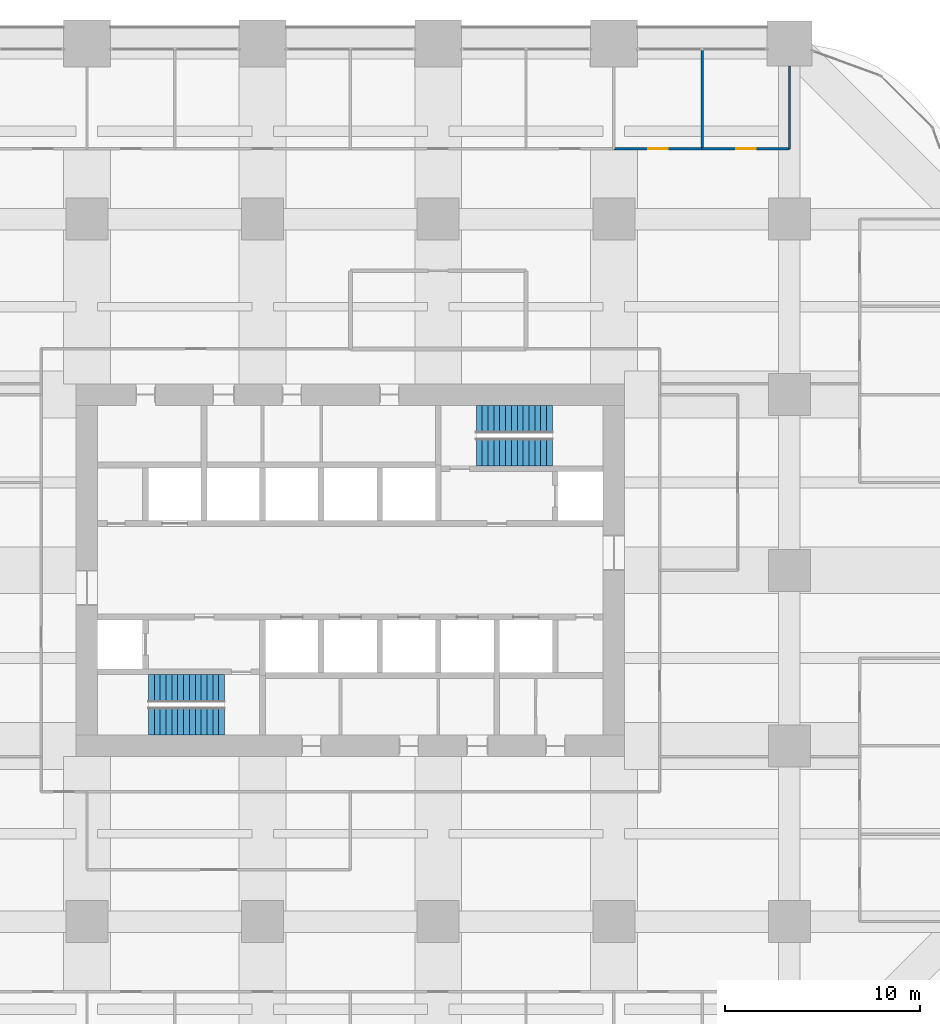
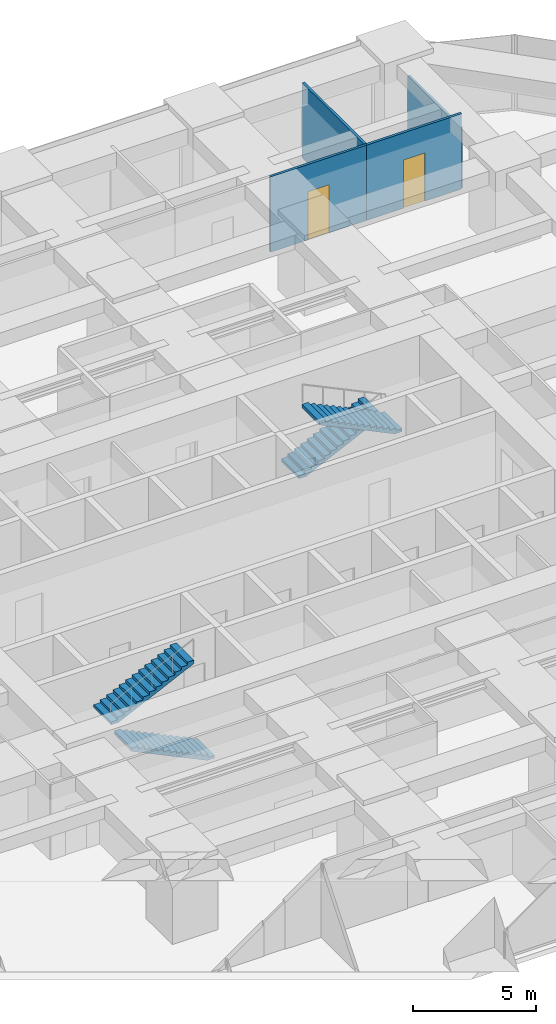
# One storey, part 43 of 45: 4 stair flights, 4 walls, 2 doors, 2 openings, 2 elements without a shape of their own.
"""IFC4 building model written with IfcOpenShell, lengths in metres."""

from ifc_helpers import new_model, si_unit, direction, frame, frame_2d, origin, place, context, subcontext, project, spatial, polyline, rectangle, outline, extrude, material, layer, layer_set, type_object, element, fill, aggregate, save


model = new_model("IFC4")

# Units and contexts
model_context = context("Model", 3, precision=1e-05, world=origin(), true_north=direction((0.0, 1.0)))
body_context = subcontext(model_context, "Body", "Model", "MODEL_VIEW")
ifc_project = project(units=[si_unit("LENGTHUNIT", "METRE"), si_unit("AREAUNIT", "SQUARE_METRE"), si_unit("VOLUMEUNIT", "CUBIC_METRE"), si_unit("PLANEANGLEUNIT", "RADIAN"), si_unit("MASSUNIT", "GRAM", prefix="KILO")], contexts=[model_context])

# Site, building, storey
site_placement = place(None, origin())
site = spatial("IfcSite", under=ifc_project, at=site_placement, CompositionType="ELEMENT")
building_placement = place(site_placement, origin())
building = spatial("IfcBuilding", under=site, at=building_placement, Name="Zorevar Civic Tower", CompositionType="ELEMENT")
storey_placement = place(building_placement, frame((0.0, 0.0, 71.800048828125)))
storey = spatial("IfcBuildingStorey", under=building, at=storey_placement, Name="L17", CompositionType="ELEMENT", Elevation=71.800048828125)

# Wall, opening, door
ifc_material_1 = material(Name="Gypsum board on steel studs", Category="steel")
ifc_layer = layer(ifc_material_1, 0.1201171875)
ifc_layer_set = layer_set([ifc_layer], Name="Partition 120")
wall_type = type_object("IfcWallType", Name="Partition 120", PredefinedType="PARTITIONING", material=ifc_layer_set)
wall_1_placement = place(storey_placement, frame((45.0, 48.60009765625, 0.0), z_axis=(0.0, 0.0, 1.0), x_axis=(1.0, 0.0, 0.0)))
wall_1 = element("IfcWall", 1, at=wall_1_placement, inside=storey, type_object=wall_type, Name="Partition 120 L17", PredefinedType="PARTITIONING", context=body_context, shape_type="SweptSolid", body=[
    extrude(rectangle(XDim=4.52490234375, YDim=0.1201171875, at=frame_2d((2.262451171875, 0.0))), origin(), (0.0, 0.0, 1.0), 3.75),
])
opening_1_placement = place(wall_1_placement, frame((1.762939453125, 0.0, 0.0)))
opening_1 = element("IfcOpeningElement", 2, at=opening_1_placement, cuts=wall_1, Name="Opening L17.35", PredefinedType="OPENING", context=body_context, shape_type="SweptSolid", body=[
    extrude(rectangle(XDim=1.0, YDim=2.39990234375, at=frame_2d((0.5, 1.199951171875))), frame((0.0, 0.070068359375, 0.0), z_axis=(0.0, -1.0, 0.0), x_axis=(1.0, 0.0, 0.0)), (0.0, 0.0, 1.0), 0.14013671875),
])
ifc_material_2 = material(Name="Timber door set", Category="wood")
door_type = type_object("IfcDoorType", Name="Door D1 1000x2400", OperationType="SINGLE_SWING_LEFT", PredefinedType="DOOR", material=ifc_material_2)
door_1_placement = place(opening_1_placement, origin())
door_1 = element("IfcDoor", 3, at=door_1_placement, inside=storey, type_object=door_type, Name="Door L17 D1", OperationType="SINGLE_SWING_RIGHT", OverallHeight=2.39990234375, OverallWidth=1.0, PredefinedType="DOOR", context=body_context, shape_type="SweptSolid", body=[
    extrude(rectangle(XDim=1.0, YDim=2.39990234375, at=frame_2d((0.5, 1.199951171875))), frame((0.0, 0.02490234375, 0.0), z_axis=(0.0, -1.0, 0.0), x_axis=(1.0, 0.0, 0.0)), (0.0, 0.0, 1.0), 0.050048828125),
])
fill(opening_1, door_1)

wall_2_placement = place(storey_placement, frame((49.52490234375, 48.60009765625, 0.0), z_axis=(0.0, 0.0, 1.0), x_axis=(1.0, 0.0, 0.0)))
wall_2 = element("IfcWall", 4, at=wall_2_placement, inside=storey, type_object=wall_type, Name="Partition 120 L17", PredefinedType="PARTITIONING", context=body_context, shape_type="SweptSolid", body=[
    extrude(rectangle(XDim=4.47509765625, YDim=0.1201171875, at=frame_2d((2.237548828125, 0.0))), origin(), (0.0, 0.0, 1.0), 3.75),
])
opening_2_placement = place(wall_2_placement, frame((1.738037109375, 0.0, 0.0)))
opening_2 = element("IfcOpeningElement", 5, at=opening_2_placement, cuts=wall_2, Name="Opening L17.36", PredefinedType="OPENING", context=body_context, shape_type="SweptSolid", body=[
    extrude(rectangle(XDim=1.0, YDim=2.39990234375, at=frame_2d((0.5, 1.199951171875))), frame((0.0, 0.070068359375, 0.0), z_axis=(0.0, -1.0, 0.0), x_axis=(1.0, 0.0, 0.0)), (0.0, 0.0, 1.0), 0.14013671875),
])
door_2_placement = place(opening_2_placement, origin())
door_2 = element("IfcDoor", 6, at=door_2_placement, inside=storey, type_object=door_type, Name="Door L17 D1", OperationType="SINGLE_SWING_RIGHT", OverallHeight=2.39990234375, OverallWidth=1.0, PredefinedType="DOOR", context=body_context, shape_type="SweptSolid", body=[
    extrude(rectangle(XDim=1.0, YDim=2.39990234375, at=frame_2d((0.5, 1.199951171875))), frame((0.0, 0.02490234375, 0.0), z_axis=(0.0, -1.0, 0.0), x_axis=(1.0, 0.0, 0.0)), (0.0, 0.0, 1.0), 0.050048828125),
])
fill(opening_2, door_2)

# Walls
wall_3_placement = place(storey_placement, frame((49.52490234375, 48.60009765625, 0.0), z_axis=(0.0, 0.0, 1.0), x_axis=(0.0, 1.0, 0.0)))
element("IfcWall", 7, at=wall_3_placement, inside=storey, type_object=wall_type, Name="Partition 120 L17", PredefinedType="PARTITIONING", context=body_context, shape_type="SweptSolid", body=[
    extrude(rectangle(XDim=5.08984375, YDim=0.1201171875, at=frame_2d((2.544921875, 0.0))), origin(), (0.0, 0.0, 1.0), 3.75),
])
wall_4_placement = place(storey_placement, frame((54.0, 48.60009765625, 0.0), z_axis=(0.0, 0.0, 1.0), x_axis=(0.0, 1.0, 0.0)))
element("IfcWall", 8, at=wall_4_placement, inside=storey, type_object=wall_type, Name="Partition 120 L17", PredefinedType="PARTITIONING", context=body_context, shape_type="SweptSolid", body=[
    extrude(rectangle(XDim=4.25, YDim=0.1201171875, at=frame_2d((2.125, 0.0))), origin(), (0.0, 0.0, 1.0), 3.050048828125),
])

# Stair, stair flights
ifc_material_3 = material(Name="Precast concrete C40/50", Category="concrete")
stair_type = type_object("IfcStairType", Name="Stair ST 28R", PredefinedType="HALF_TURN_STAIR", material=ifc_material_3)
stair_1_placement = place(storey_placement, origin())
stair_1 = element("IfcStair", 9, at=stair_1_placement, inside=storey, type_object=stair_type, Name="Stair ST1 L17", PredefinedType="HALF_TURN_STAIR")
ifc_material_4 = material(Name="Precast concrete C40/50", Category="concrete")
stair_flight_type = type_object("IfcStairFlightType", Name="Stair flight", PredefinedType="STRAIGHT", material=ifc_material_4)
stair_flight_1_placement = place(storey_placement, frame((25.050048828125, 19.262451171875, 0.0), z_axis=(0.0, 0.0, 1.0), x_axis=(-1.0, 0.0, 0.0)))
stair_flight_1 = element("IfcStairFlight", 10, at=stair_flight_1_placement, type_object=stair_flight_type, Name="ST1 flight 1", NumberOfRisers=14, NumberOfTreads=13, PredefinedType="STRAIGHT", RiserHeight=0.142857143, TreadLength=0.3, context=body_context, shape_type="SweptSolid", body=[
    extrude(outline(polyline([(0.0, 0.0), (0.0, 0.142822265625), (0.300048828125, 0.142822265625), (0.300048828125, 0.28564453125), (0.60009765625, 0.28564453125), (0.60009765625, 0.428466796875), (0.89990234375, 0.428466796875), (0.89990234375, 0.571533203125), (1.199951171875, 0.571533203125), (1.199951171875, 0.71435546875), (1.5, 0.71435546875), (1.5, 0.857177734375), (1.800048828125, 0.857177734375), (1.800048828125, 1.0), (2.10009765625, 1.0), (2.10009765625, 1.142822265625), (2.39990234375, 1.142822265625), (2.39990234375, 1.28564453125), (2.699951171875, 1.28564453125), (2.699951171875, 1.428466796875), (3.0, 1.428466796875), (3.0, 1.571533203125), (3.300048828125, 1.571533203125), (3.300048828125, 1.71435546875), (3.60009765625, 1.71435546875), (3.60009765625, 1.857177734375), (3.89990234375, 1.857177734375), (3.89990234375, 2.0), (3.89990234375, 1.691162109375), (0.3486328125, 0.0), (0.0, 0.0)])), frame((0.0, 0.71240234375, 0.0), z_axis=(0.0, -1.0, 0.0), x_axis=(1.0, 0.0, 0.0)), (0.0, 0.0, 1.0), 1.425048828125),
])
stair_flight_2_placement = place(storey_placement, frame((21.14990234375, 20.9375, 2.0), z_axis=(0.0, 0.0, 1.0), x_axis=(1.0, 0.0, 0.0)))
stair_flight_2 = element("IfcStairFlight", 11, at=stair_flight_2_placement, type_object=stair_flight_type, Name="ST1 flight 2", NumberOfRisers=14, NumberOfTreads=13, PredefinedType="STRAIGHT", RiserHeight=0.142857143, TreadLength=0.3, context=body_context, shape_type="SweptSolid", body=[
    extrude(outline(polyline([(0.0, 0.0), (0.0, 0.142822265625), (0.300048828125, 0.142822265625), (0.300048828125, 0.28564453125), (0.60009765625, 0.28564453125), (0.60009765625, 0.428466796875), (0.89990234375, 0.428466796875), (0.89990234375, 0.571533203125), (1.199951171875, 0.571533203125), (1.199951171875, 0.71435546875), (1.5, 0.71435546875), (1.5, 0.857177734375), (1.800048828125, 0.857177734375), (1.800048828125, 1.0), (2.10009765625, 1.0), (2.10009765625, 1.142822265625), (2.39990234375, 1.142822265625), (2.39990234375, 1.28564453125), (2.699951171875, 1.28564453125), (2.699951171875, 1.428466796875), (3.0, 1.428466796875), (3.0, 1.571533203125), (3.300048828125, 1.571533203125), (3.300048828125, 1.71435546875), (3.60009765625, 1.71435546875), (3.60009765625, 1.857177734375), (3.89990234375, 1.857177734375), (3.89990234375, 2.0), (3.89990234375, 1.691162109375), (0.3486328125, 0.0), (0.0, 0.0)])), frame((0.0, 0.71240234375, 0.0), z_axis=(0.0, -1.0, 0.0), x_axis=(1.0, 0.0, 0.0)), (0.0, 0.0, 1.0), 1.425048828125),
])
aggregate(stair_1, [stair_flight_1, stair_flight_2])

stair_2_placement = place(storey_placement, origin())
stair_2 = element("IfcStair", 12, at=stair_2_placement, inside=storey, type_object=stair_type, Name="Stair ST2 L17", PredefinedType="HALF_TURN_STAIR")
stair_flight_3_placement = place(storey_placement, frame((37.949951171875, 34.737548828125, 0.0), z_axis=(0.0, 0.0, 1.0), x_axis=(1.0, 0.0, 0.0)))
stair_flight_3 = element("IfcStairFlight", 13, at=stair_flight_3_placement, type_object=stair_flight_type, Name="ST2 flight 1", NumberOfRisers=14, NumberOfTreads=13, PredefinedType="STRAIGHT", RiserHeight=0.142857143, TreadLength=0.3, context=body_context, shape_type="SweptSolid", body=[
    extrude(outline(polyline([(0.0, 0.0), (0.0, 0.142822265625), (0.300048828125, 0.142822265625), (0.300048828125, 0.28564453125), (0.60009765625, 0.28564453125), (0.60009765625, 0.428466796875), (0.89990234375, 0.428466796875), (0.89990234375, 0.571533203125), (1.199951171875, 0.571533203125), (1.199951171875, 0.71435546875), (1.5, 0.71435546875), (1.5, 0.857177734375), (1.800048828125, 0.857177734375), (1.800048828125, 1.0), (2.10009765625, 1.0), (2.10009765625, 1.142822265625), (2.39990234375, 1.142822265625), (2.39990234375, 1.28564453125), (2.699951171875, 1.28564453125), (2.699951171875, 1.428466796875), (3.0, 1.428466796875), (3.0, 1.571533203125), (3.300048828125, 1.571533203125), (3.300048828125, 1.71435546875), (3.60009765625, 1.71435546875), (3.60009765625, 1.857177734375), (3.89990234375, 1.857177734375), (3.89990234375, 2.0), (3.89990234375, 1.691162109375), (0.3486328125, 0.0), (0.0, 0.0)])), frame((0.0, 0.71240234375, 0.0), z_axis=(0.0, -1.0, 0.0), x_axis=(1.0, 0.0, 0.0)), (0.0, 0.0, 1.0), 1.425048828125),
])
stair_flight_4_placement = place(storey_placement, frame((41.85009765625, 33.0625, 2.0), z_axis=(0.0, 0.0, 1.0), x_axis=(-1.0, 0.0, 0.0)))
stair_flight_4 = element("IfcStairFlight", 14, at=stair_flight_4_placement, type_object=stair_flight_type, Name="ST2 flight 2", NumberOfRisers=14, NumberOfTreads=13, PredefinedType="STRAIGHT", RiserHeight=0.142857143, TreadLength=0.3, context=body_context, shape_type="SweptSolid", body=[
    extrude(outline(polyline([(0.0, 0.0), (0.0, 0.142822265625), (0.300048828125, 0.142822265625), (0.300048828125, 0.28564453125), (0.60009765625, 0.28564453125), (0.60009765625, 0.428466796875), (0.89990234375, 0.428466796875), (0.89990234375, 0.571533203125), (1.199951171875, 0.571533203125), (1.199951171875, 0.71435546875), (1.5, 0.71435546875), (1.5, 0.857177734375), (1.800048828125, 0.857177734375), (1.800048828125, 1.0), (2.10009765625, 1.0), (2.10009765625, 1.142822265625), (2.39990234375, 1.142822265625), (2.39990234375, 1.28564453125), (2.699951171875, 1.28564453125), (2.699951171875, 1.428466796875), (3.0, 1.428466796875), (3.0, 1.571533203125), (3.300048828125, 1.571533203125), (3.300048828125, 1.71435546875), (3.60009765625, 1.71435546875), (3.60009765625, 1.857177734375), (3.89990234375, 1.857177734375), (3.89990234375, 2.0), (3.89990234375, 1.691162109375), (0.3486328125, 0.0), (0.0, 0.0)])), frame((0.0, 0.71240234375, 0.0), z_axis=(0.0, -1.0, 0.0), x_axis=(1.0, 0.0, 0.0)), (0.0, 0.0, 1.0), 1.425048828125),
])
aggregate(stair_2, [stair_flight_3, stair_flight_4])

save(model, "model.ifc")
